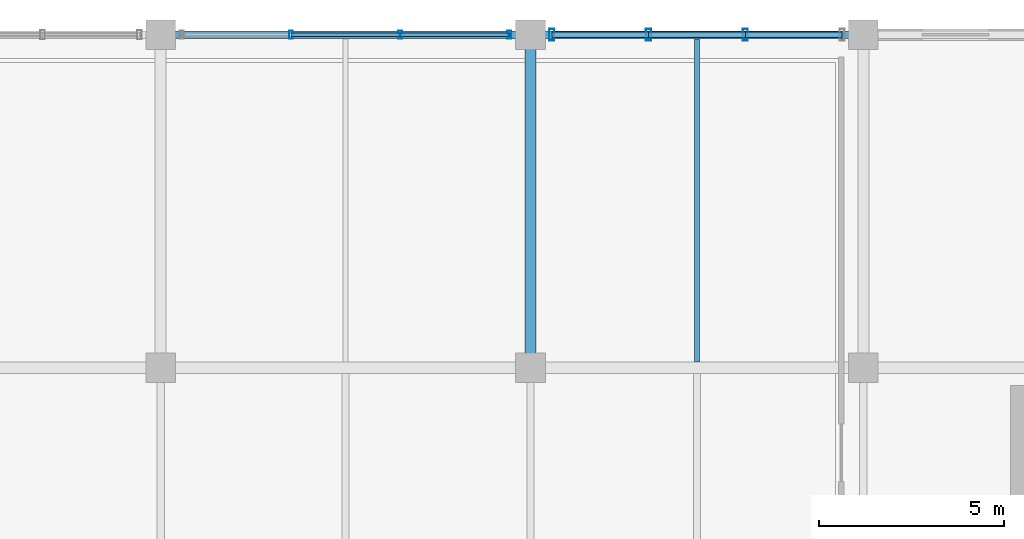
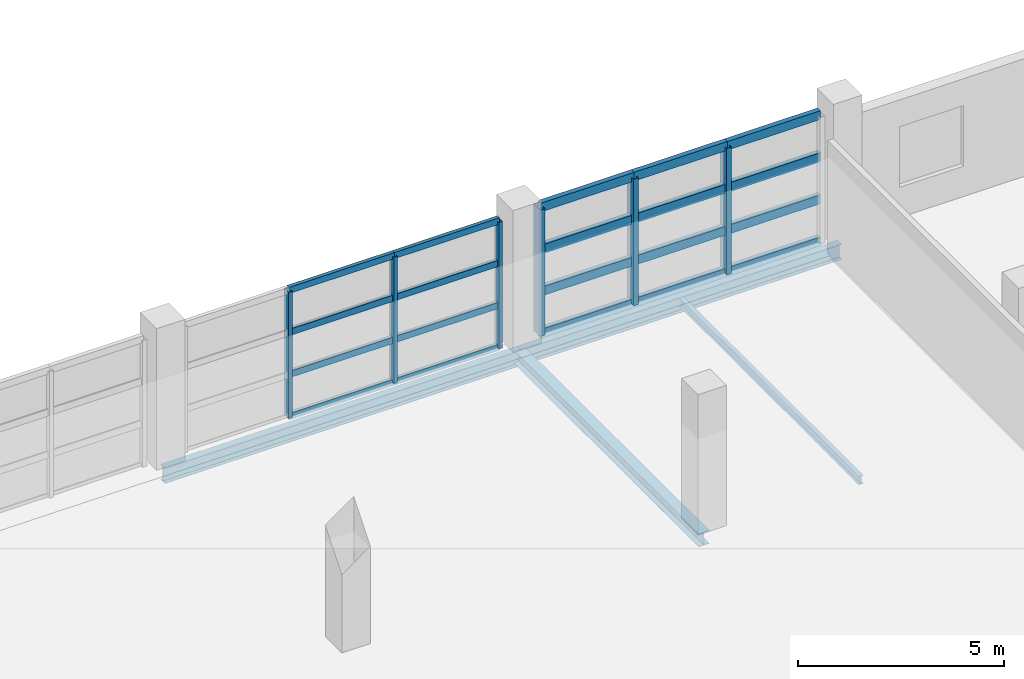
# One storey, part 90 of 136: 26 members, 4 beams, 2 elements without a shape of their own.
"""IFC4 building model written with IfcOpenShell, lengths in metres."""

from ifc_helpers import new_model, si_unit, direction, frame, origin, origin_2d, place, context, subcontext, project, spatial, hollow_rectangle, i_section, extrude, material, material_profile, profile_set, type_object, element, aggregate, save


model = new_model("IFC4")

# Units and contexts
model_context = context("Model", 3, precision=1e-05, world=origin(), true_north=direction((0.0, 1.0)))
body_context = subcontext(model_context, "Body", "Model", "MODEL_VIEW")
ifc_project = project(units=[si_unit("LENGTHUNIT", "METRE"), si_unit("AREAUNIT", "SQUARE_METRE"), si_unit("VOLUMEUNIT", "CUBIC_METRE"), si_unit("PLANEANGLEUNIT", "RADIAN"), si_unit("MASSUNIT", "GRAM", prefix="KILO")], contexts=[model_context])

# Site, building, storey
site_placement = place(None, origin())
site = spatial("IfcSite", under=ifc_project, at=site_placement, CompositionType="ELEMENT")
building_placement = place(site_placement, origin())
building = spatial("IfcBuilding", under=site, at=building_placement, Name="Chuanluo Vaults Station", CompositionType="ELEMENT")
storey_placement = place(building_placement, frame((0.0, 0.0, 6.60009765625)))
storey = spatial("IfcBuildingStorey", under=building, at=storey_placement, Name="L01", CompositionType="ELEMENT", Elevation=6.60009765625)

# Beams
ifc_material_1 = material(Name="Steel Q355C", Category="steel")
ifc_material_profile_1 = material_profile(ifc_material_1, i_section(OverallWidth=0.300048828125, OverallDepth=0.389892578125, WebThickness=0.010009765625, FlangeThickness=0.01611328125, FilletRadius=0.02001953125, at=origin_2d()))
ifc_profile_set_1 = profile_set([ifc_material_profile_1], Name="Steel Q355C")
beam_type_1 = type_object("IfcBeamType", Name="BM-GRD-400", PredefinedType="BEAM", material=ifc_profile_set_1)
beam_1_placement = place(storey_placement, frame((136.0, 117.0, -0.455078125), z_axis=(0.0, 1.0, 0.0), x_axis=(-1.0, 0.0, 0.0)))
element("IfcBeam", 1, at=beam_1_placement, inside=storey, type_object=beam_type_1, Name="Floor girder BM:GY:L01:0465", PredefinedType="BEAM", context=body_context, shape_type="SweptSolid", body=[
    extrude(i_section(OverallWidth=0.300048828125, OverallDepth=0.389892578125, WebThickness=0.010009765625, FlangeThickness=0.01611328125, FilletRadius=0.02001953125, at=origin_2d()), origin(), (0.0, 0.0, 1.0), 9.0),
])
ifc_material_2 = material(Name="Steel Q355C", Category="steel")
ifc_material_profile_2 = material_profile(ifc_material_2, i_section(OverallWidth=0.125, OverallDepth=0.25, WebThickness=0.006103515625, FlangeThickness=0.009033203125, FilletRadius=0.011962890625, at=origin_2d()))
ifc_profile_set_2 = profile_set([ifc_material_profile_2], Name="Steel Q355C")
beam_type_2 = type_object("IfcBeamType", Name="BM-SEC-250", PredefinedType="JOIST", material=ifc_profile_set_2)
beam_2_placement = place(storey_placement, frame((140.5, 117.155029296875, -0.385009765625), z_axis=(0.0, 1.0, 0.0), x_axis=(-1.0, 0.0, 0.0)))
element("IfcBeam", 2, at=beam_2_placement, inside=storey, type_object=beam_type_2, Name="Composite secondary joist 0157", PredefinedType="JOIST", context=body_context, shape_type="SweptSolid", body=[
    extrude(i_section(OverallWidth=0.125, OverallDepth=0.25, WebThickness=0.006103515625, FlangeThickness=0.009033203125, FilletRadius=0.011962890625, at=origin_2d()), origin(), (0.0, 0.0, 1.0), 8.737548828125),
])
ifc_material_3 = material(Name="Steel Q355C", Category="steel")
ifc_material_profile_3 = material_profile(ifc_material_3, i_section(OverallWidth=0.205078125, OverallDepth=0.4599609375, WebThickness=0.009033203125, FlangeThickness=0.013916015625, FilletRadius=0.01611328125, at=origin_2d()))
ifc_profile_set_3 = profile_set([ifc_material_profile_3], Name="Steel Q355C")
beam_type_3 = type_object("IfcBeamType", Name="BM-SPN-450", PredefinedType="SPANDREL", material=ifc_profile_set_3)
beam_3_placement = place(storey_placement, frame((126.0, 126.0, -0.489990234375), z_axis=(1.0, 0.0, 0.0), x_axis=(0.0, 1.0, 0.0)))
element("IfcBeam", 3, at=beam_3_placement, inside=storey, type_object=beam_type_3, Name="Floor girder BM:GX:L01:0399", PredefinedType="SPANDREL", context=body_context, shape_type="SweptSolid", body=[
    extrude(i_section(OverallWidth=0.205078125, OverallDepth=0.4599609375, WebThickness=0.009033203125, FlangeThickness=0.013916015625, FilletRadius=0.01611328125, at=origin_2d()), origin(), (0.0, 0.0, 1.0), 10.0),
])
beam_4_placement = place(storey_placement, frame((136.0, 126.0, -0.489990234375), z_axis=(1.0, 0.0, 0.0), x_axis=(0.0, 1.0, 0.0)))
element("IfcBeam", 4, at=beam_4_placement, inside=storey, type_object=beam_type_3, Name="Floor girder BM:GX:L01:0400", PredefinedType="SPANDREL", context=body_context, shape_type="SweptSolid", body=[
    extrude(i_section(OverallWidth=0.205078125, OverallDepth=0.4599609375, WebThickness=0.009033203125, FlangeThickness=0.013916015625, FilletRadius=0.01611328125, at=origin_2d()), origin(), (0.0, 0.0, 1.0), 9.0),
])

# Curtain wall, members
ifc_material_4 = material(Name="Anodised aluminium 6063-T6", Category="aluminium")
curtain_wall_type_1 = type_object("IfcCurtainWallType", Name="CW-SYS-20", PredefinedType="NOTDEFINED", material=ifc_material_4)
curtain_wall_1_placement = place(storey_placement, origin())
curtain_wall_1 = element("IfcCurtainWall", 5, at=curtain_wall_1_placement, inside=storey, type_object=curtain_wall_type_1, Name="Operations L01 facade CW", PredefinedType="NOTDEFINED")
ifc_material_5 = material(Name="Anodised aluminium 6063-T6", Category="aluminium")
ifc_material_profile_4 = material_profile(ifc_material_5, hollow_rectangle(XDim=0.10498046875, YDim=0.219970703125, WallThickness=0.006103515625, at=origin_2d()))
ifc_profile_set_4 = profile_set([ifc_material_profile_4], Name="Anodised aluminium 6063-T6")
member_type_1 = type_object("IfcMemberType", Name="CWM-140", PredefinedType="MULLION", material=ifc_profile_set_4)
member_1_placement = place(storey_placement, frame((129.52490234375, 126.0, 0.0), z_axis=(0.0, 0.0, 1.0), x_axis=(1.0, 0.0, 0.0)))
member_1 = element("IfcMember", 6, at=member_1_placement, type_object=member_type_1, Name="Operations L01 facade CW mullion 2", PredefinedType="MULLION", context=body_context, shape_type="SweptSolid", body=[
    extrude(hollow_rectangle(XDim=0.10498046875, YDim=0.219970703125, WallThickness=0.006103515625, at=origin_2d()), origin(), (0.0, 0.0, 1.0), 3.75),
])
member_2_placement = place(storey_placement, frame((132.47509765625, 126.0, 0.0), z_axis=(0.0, 0.0, 1.0), x_axis=(1.0, 0.0, 0.0)))
member_2 = element("IfcMember", 7, at=member_2_placement, type_object=member_type_1, Name="Operations L01 facade CW mullion 3", PredefinedType="MULLION", context=body_context, shape_type="SweptSolid", body=[
    extrude(hollow_rectangle(XDim=0.10498046875, YDim=0.219970703125, WallThickness=0.006103515625, at=origin_2d()), origin(), (0.0, 0.0, 1.0), 3.75),
])
member_3_placement = place(storey_placement, frame((135.425048828125, 126.0, 0.0), z_axis=(0.0, 0.0, 1.0), x_axis=(1.0, 0.0, 0.0)))
member_3 = element("IfcMember", 8, at=member_3_placement, type_object=member_type_1, Name="Operations L01 facade CW mullion 4", PredefinedType="MULLION", context=body_context, shape_type="SweptSolid", body=[
    extrude(hollow_rectangle(XDim=0.10498046875, YDim=0.219970703125, WallThickness=0.006103515625, at=origin_2d()), origin(), (0.0, 0.0, 1.0), 3.75),
])

ifc_material_6 = material(Name="Anodised aluminium 6063-T6", Category="aluminium")
curtain_wall_type_2 = type_object("IfcCurtainWallType", Name="CW-SYS-21", PredefinedType="NOTDEFINED", material=ifc_material_6)
curtain_wall_2_placement = place(storey_placement, origin())
curtain_wall_2 = element("IfcCurtainWall", 9, at=curtain_wall_2_placement, inside=storey, type_object=curtain_wall_type_2, Name="Operations L01 facade CW", PredefinedType="NOTDEFINED")
ifc_material_7 = material(Name="Anodised aluminium 6063-T6", Category="aluminium")
ifc_material_profile_5 = material_profile(ifc_material_7, hollow_rectangle(XDim=0.139892578125, YDim=0.320068359375, WallThickness=0.008056640625, at=origin_2d()))
ifc_profile_set_5 = profile_set([ifc_material_profile_5], Name="Anodised aluminium 6063-T6")
member_type_2 = type_object("IfcMemberType", Name="CWM-220", PredefinedType="MULLION", material=ifc_profile_set_5)
member_4_placement = place(storey_placement, frame((136.574951171875, 126.0, 0.0), z_axis=(0.0, 0.0, 1.0), x_axis=(1.0, 0.0, 0.0)))
member_4 = element("IfcMember", 10, at=member_4_placement, type_object=member_type_2, Name="Operations L01 facade CW mullion 1", PredefinedType="MULLION", context=body_context, shape_type="SweptSolid", body=[
    extrude(hollow_rectangle(XDim=0.139892578125, YDim=0.320068359375, WallThickness=0.008056640625, at=origin_2d()), origin(), (0.0, 0.0, 1.0), 3.75),
])
member_5_placement = place(storey_placement, frame((139.191650390625, 126.0, 0.0), z_axis=(0.0, 0.0, 1.0), x_axis=(1.0, 0.0, 0.0)))
member_5 = element("IfcMember", 11, at=member_5_placement, type_object=member_type_2, Name="Operations L01 facade CW mullion 2", PredefinedType="MULLION", context=body_context, shape_type="SweptSolid", body=[
    extrude(hollow_rectangle(XDim=0.139892578125, YDim=0.320068359375, WallThickness=0.008056640625, at=origin_2d()), origin(), (0.0, 0.0, 1.0), 3.75),
])
member_6_placement = place(storey_placement, frame((141.808349609375, 126.0, 0.0), z_axis=(0.0, 0.0, 1.0), x_axis=(1.0, 0.0, 0.0)))
member_6 = element("IfcMember", 12, at=member_6_placement, type_object=member_type_2, Name="Operations L01 facade CW mullion 3", PredefinedType="MULLION", context=body_context, shape_type="SweptSolid", body=[
    extrude(hollow_rectangle(XDim=0.139892578125, YDim=0.320068359375, WallThickness=0.008056640625, at=origin_2d()), origin(), (0.0, 0.0, 1.0), 3.75),
])

# Member
ifc_material_8 = material(Name="Anodised aluminium 6063-T6", Category="aluminium")
ifc_material_profile_6 = material_profile(ifc_material_8, hollow_rectangle(XDim=0.10498046875, YDim=0.18505859375, WallThickness=0.0048828125, at=origin_2d()))
ifc_profile_set_6 = profile_set([ifc_material_profile_6], Name="Anodised aluminium 6063-T6")
member_type_3 = type_object("IfcMemberType", Name="CWT-110", PredefinedType="USERDEFINED", material=ifc_profile_set_6)
member_7_placement = place(storey_placement, frame((129.52490234375, 126.0, 0.0), z_axis=(1.0, 0.0, 0.0), x_axis=(0.0, 1.0, 0.0)))
member_7 = element("IfcMember", 13, at=member_7_placement, type_object=member_type_3, Name="Operations L01 facade CW transom 2.1", ObjectType="TRANSOM", PredefinedType="USERDEFINED", context=body_context, shape_type="SweptSolid", body=[
    extrude(hollow_rectangle(XDim=0.10498046875, YDim=0.18505859375, WallThickness=0.0048828125, at=origin_2d()), origin(), (0.0, 0.0, 1.0), 2.9501953125),
])

member_8_placement = place(storey_placement, frame((129.52490234375, 126.0, 1.25), z_axis=(1.0, 0.0, 0.0), x_axis=(0.0, 1.0, 0.0)))
member_8 = element("IfcMember", 14, at=member_8_placement, type_object=member_type_3, Name="Operations L01 facade CW transom 2.2", ObjectType="TRANSOM", PredefinedType="USERDEFINED", context=body_context, shape_type="SweptSolid", body=[
    extrude(hollow_rectangle(XDim=0.10498046875, YDim=0.18505859375, WallThickness=0.0048828125, at=origin_2d()), origin(), (0.0, 0.0, 1.0), 2.9501953125),
])

member_9_placement = place(storey_placement, frame((129.52490234375, 126.0, 2.5), z_axis=(1.0, 0.0, 0.0), x_axis=(0.0, 1.0, 0.0)))
member_9 = element("IfcMember", 15, at=member_9_placement, type_object=member_type_3, Name="Operations L01 facade CW transom 2.3", ObjectType="TRANSOM", PredefinedType="USERDEFINED", context=body_context, shape_type="SweptSolid", body=[
    extrude(hollow_rectangle(XDim=0.10498046875, YDim=0.18505859375, WallThickness=0.0048828125, at=origin_2d()), origin(), (0.0, 0.0, 1.0), 2.9501953125),
])

member_10_placement = place(storey_placement, frame((129.52490234375, 126.0, 3.75), z_axis=(1.0, 0.0, 0.0), x_axis=(0.0, 1.0, 0.0)))
member_10 = element("IfcMember", 16, at=member_10_placement, type_object=member_type_3, Name="Operations L01 facade CW transom 2.4", ObjectType="TRANSOM", PredefinedType="USERDEFINED", context=body_context, shape_type="SweptSolid", body=[
    extrude(hollow_rectangle(XDim=0.10498046875, YDim=0.18505859375, WallThickness=0.0048828125, at=origin_2d()), origin(), (0.0, 0.0, 1.0), 2.9501953125),
])

member_11_placement = place(storey_placement, frame((132.47509765625, 126.0, 0.0), z_axis=(1.0, 0.0, 0.0), x_axis=(0.0, 1.0, 0.0)))
member_11 = element("IfcMember", 17, at=member_11_placement, type_object=member_type_3, Name="Operations L01 facade CW transom 3.1", ObjectType="TRANSOM", PredefinedType="USERDEFINED", context=body_context, shape_type="SweptSolid", body=[
    extrude(hollow_rectangle(XDim=0.10498046875, YDim=0.18505859375, WallThickness=0.0048828125, at=origin_2d()), origin(), (0.0, 0.0, 1.0), 2.949951171875),
])

member_12_placement = place(storey_placement, frame((132.47509765625, 126.0, 1.25), z_axis=(1.0, 0.0, 0.0), x_axis=(0.0, 1.0, 0.0)))
member_12 = element("IfcMember", 18, at=member_12_placement, type_object=member_type_3, Name="Operations L01 facade CW transom 3.2", ObjectType="TRANSOM", PredefinedType="USERDEFINED", context=body_context, shape_type="SweptSolid", body=[
    extrude(hollow_rectangle(XDim=0.10498046875, YDim=0.18505859375, WallThickness=0.0048828125, at=origin_2d()), origin(), (0.0, 0.0, 1.0), 2.949951171875),
])

member_13_placement = place(storey_placement, frame((132.47509765625, 126.0, 2.5), z_axis=(1.0, 0.0, 0.0), x_axis=(0.0, 1.0, 0.0)))
member_13 = element("IfcMember", 19, at=member_13_placement, type_object=member_type_3, Name="Operations L01 facade CW transom 3.3", ObjectType="TRANSOM", PredefinedType="USERDEFINED", context=body_context, shape_type="SweptSolid", body=[
    extrude(hollow_rectangle(XDim=0.10498046875, YDim=0.18505859375, WallThickness=0.0048828125, at=origin_2d()), origin(), (0.0, 0.0, 1.0), 2.949951171875),
])

member_14_placement = place(storey_placement, frame((132.47509765625, 126.0, 3.75), z_axis=(1.0, 0.0, 0.0), x_axis=(0.0, 1.0, 0.0)))
member_14 = element("IfcMember", 20, at=member_14_placement, type_object=member_type_3, Name="Operations L01 facade CW transom 3.4", ObjectType="TRANSOM", PredefinedType="USERDEFINED", context=body_context, shape_type="SweptSolid", body=[
    extrude(hollow_rectangle(XDim=0.10498046875, YDim=0.18505859375, WallThickness=0.0048828125, at=origin_2d()), origin(), (0.0, 0.0, 1.0), 2.949951171875),
])

aggregate(curtain_wall_1, [member_1, member_2, member_3, member_7, member_8, member_9, member_10, member_11, member_12, member_13, member_14])

ifc_material_9 = material(Name="Anodised aluminium 6063-T6", Category="aluminium")
ifc_material_profile_7 = material_profile(ifc_material_9, hollow_rectangle(XDim=0.139892578125, YDim=0.260009765625, WallThickness=0.007080078125, at=origin_2d()))
ifc_profile_set_7 = profile_set([ifc_material_profile_7], Name="Anodised aluminium 6063-T6")
member_type_4 = type_object("IfcMemberType", Name="CWT-180", PredefinedType="USERDEFINED", material=ifc_profile_set_7)
member_15_placement = place(storey_placement, frame((136.574951171875, 126.0, 0.0), z_axis=(1.0, 0.0, 0.0), x_axis=(0.0, 1.0, 0.0)))
member_15 = element("IfcMember", 21, at=member_15_placement, type_object=member_type_4, Name="Operations L01 facade CW transom 1.1", ObjectType="TRANSOM", PredefinedType="USERDEFINED", context=body_context, shape_type="SweptSolid", body=[
    extrude(hollow_rectangle(XDim=0.139892578125, YDim=0.260009765625, WallThickness=0.007080078125, at=origin_2d()), origin(), (0.0, 0.0, 1.0), 2.61669921875),
])

member_16_placement = place(storey_placement, frame((136.574951171875, 126.0, 1.25), z_axis=(1.0, 0.0, 0.0), x_axis=(0.0, 1.0, 0.0)))
member_16 = element("IfcMember", 22, at=member_16_placement, type_object=member_type_4, Name="Operations L01 facade CW transom 1.2", ObjectType="TRANSOM", PredefinedType="USERDEFINED", context=body_context, shape_type="SweptSolid", body=[
    extrude(hollow_rectangle(XDim=0.139892578125, YDim=0.260009765625, WallThickness=0.007080078125, at=origin_2d()), origin(), (0.0, 0.0, 1.0), 2.61669921875),
])

member_17_placement = place(storey_placement, frame((136.574951171875, 126.0, 2.5), z_axis=(1.0, 0.0, 0.0), x_axis=(0.0, 1.0, 0.0)))
member_17 = element("IfcMember", 23, at=member_17_placement, type_object=member_type_4, Name="Operations L01 facade CW transom 1.3", ObjectType="TRANSOM", PredefinedType="USERDEFINED", context=body_context, shape_type="SweptSolid", body=[
    extrude(hollow_rectangle(XDim=0.139892578125, YDim=0.260009765625, WallThickness=0.007080078125, at=origin_2d()), origin(), (0.0, 0.0, 1.0), 2.61669921875),
])

member_18_placement = place(storey_placement, frame((136.574951171875, 126.0, 3.75), z_axis=(1.0, 0.0, 0.0), x_axis=(0.0, 1.0, 0.0)))
member_18 = element("IfcMember", 24, at=member_18_placement, type_object=member_type_4, Name="Operations L01 facade CW transom 1.4", ObjectType="TRANSOM", PredefinedType="USERDEFINED", context=body_context, shape_type="SweptSolid", body=[
    extrude(hollow_rectangle(XDim=0.139892578125, YDim=0.260009765625, WallThickness=0.007080078125, at=origin_2d()), origin(), (0.0, 0.0, 1.0), 2.61669921875),
])

member_19_placement = place(storey_placement, frame((139.191650390625, 126.0, 0.0), z_axis=(1.0, 0.0, 0.0), x_axis=(0.0, 1.0, 0.0)))
member_19 = element("IfcMember", 25, at=member_19_placement, type_object=member_type_4, Name="Operations L01 facade CW transom 2.1", ObjectType="TRANSOM", PredefinedType="USERDEFINED", context=body_context, shape_type="SweptSolid", body=[
    extrude(hollow_rectangle(XDim=0.139892578125, YDim=0.260009765625, WallThickness=0.007080078125, at=origin_2d()), origin(), (0.0, 0.0, 1.0), 2.61669921875),
])

member_20_placement = place(storey_placement, frame((139.191650390625, 126.0, 1.25), z_axis=(1.0, 0.0, 0.0), x_axis=(0.0, 1.0, 0.0)))
member_20 = element("IfcMember", 26, at=member_20_placement, type_object=member_type_4, Name="Operations L01 facade CW transom 2.2", ObjectType="TRANSOM", PredefinedType="USERDEFINED", context=body_context, shape_type="SweptSolid", body=[
    extrude(hollow_rectangle(XDim=0.139892578125, YDim=0.260009765625, WallThickness=0.007080078125, at=origin_2d()), origin(), (0.0, 0.0, 1.0), 2.61669921875),
])

member_21_placement = place(storey_placement, frame((139.191650390625, 126.0, 2.5), z_axis=(1.0, 0.0, 0.0), x_axis=(0.0, 1.0, 0.0)))
member_21 = element("IfcMember", 27, at=member_21_placement, type_object=member_type_4, Name="Operations L01 facade CW transom 2.3", ObjectType="TRANSOM", PredefinedType="USERDEFINED", context=body_context, shape_type="SweptSolid", body=[
    extrude(hollow_rectangle(XDim=0.139892578125, YDim=0.260009765625, WallThickness=0.007080078125, at=origin_2d()), origin(), (0.0, 0.0, 1.0), 2.61669921875),
])

member_22_placement = place(storey_placement, frame((139.191650390625, 126.0, 3.75), z_axis=(1.0, 0.0, 0.0), x_axis=(0.0, 1.0, 0.0)))
member_22 = element("IfcMember", 28, at=member_22_placement, type_object=member_type_4, Name="Operations L01 facade CW transom 2.4", ObjectType="TRANSOM", PredefinedType="USERDEFINED", context=body_context, shape_type="SweptSolid", body=[
    extrude(hollow_rectangle(XDim=0.139892578125, YDim=0.260009765625, WallThickness=0.007080078125, at=origin_2d()), origin(), (0.0, 0.0, 1.0), 2.61669921875),
])

member_23_placement = place(storey_placement, frame((141.808349609375, 126.0, 0.0), z_axis=(1.0, 0.0, 0.0), x_axis=(0.0, 1.0, 0.0)))
member_23 = element("IfcMember", 29, at=member_23_placement, type_object=member_type_4, Name="Operations L01 facade CW transom 3.1", ObjectType="TRANSOM", PredefinedType="USERDEFINED", context=body_context, shape_type="SweptSolid", body=[
    extrude(hollow_rectangle(XDim=0.139892578125, YDim=0.260009765625, WallThickness=0.007080078125, at=origin_2d()), origin(), (0.0, 0.0, 1.0), 2.61669921875),
])

member_24_placement = place(storey_placement, frame((141.808349609375, 126.0, 1.25), z_axis=(1.0, 0.0, 0.0), x_axis=(0.0, 1.0, 0.0)))
member_24 = element("IfcMember", 30, at=member_24_placement, type_object=member_type_4, Name="Operations L01 facade CW transom 3.2", ObjectType="TRANSOM", PredefinedType="USERDEFINED", context=body_context, shape_type="SweptSolid", body=[
    extrude(hollow_rectangle(XDim=0.139892578125, YDim=0.260009765625, WallThickness=0.007080078125, at=origin_2d()), origin(), (0.0, 0.0, 1.0), 2.61669921875),
])

member_25_placement = place(storey_placement, frame((141.808349609375, 126.0, 2.5), z_axis=(1.0, 0.0, 0.0), x_axis=(0.0, 1.0, 0.0)))
member_25 = element("IfcMember", 31, at=member_25_placement, type_object=member_type_4, Name="Operations L01 facade CW transom 3.3", ObjectType="TRANSOM", PredefinedType="USERDEFINED", context=body_context, shape_type="SweptSolid", body=[
    extrude(hollow_rectangle(XDim=0.139892578125, YDim=0.260009765625, WallThickness=0.007080078125, at=origin_2d()), origin(), (0.0, 0.0, 1.0), 2.61669921875),
])

member_26_placement = place(storey_placement, frame((141.808349609375, 126.0, 3.75), z_axis=(1.0, 0.0, 0.0), x_axis=(0.0, 1.0, 0.0)))
member_26 = element("IfcMember", 32, at=member_26_placement, type_object=member_type_4, Name="Operations L01 facade CW transom 3.4", ObjectType="TRANSOM", PredefinedType="USERDEFINED", context=body_context, shape_type="SweptSolid", body=[
    extrude(hollow_rectangle(XDim=0.139892578125, YDim=0.260009765625, WallThickness=0.007080078125, at=origin_2d()), origin(), (0.0, 0.0, 1.0), 2.61669921875),
])

aggregate(curtain_wall_2, [member_4, member_5, member_6, member_15, member_16, member_17, member_18, member_19, member_20, member_21, member_22, member_23, member_24, member_25, member_26])

save(model, "model.ifc")
